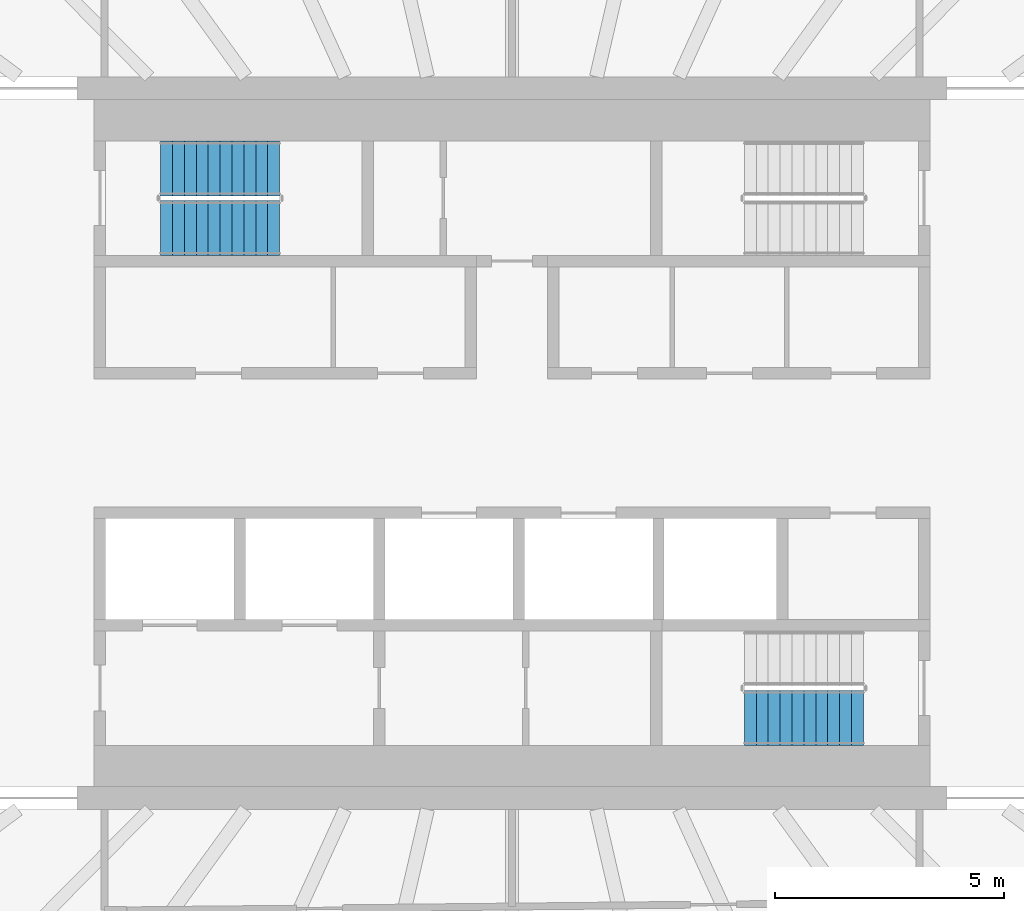
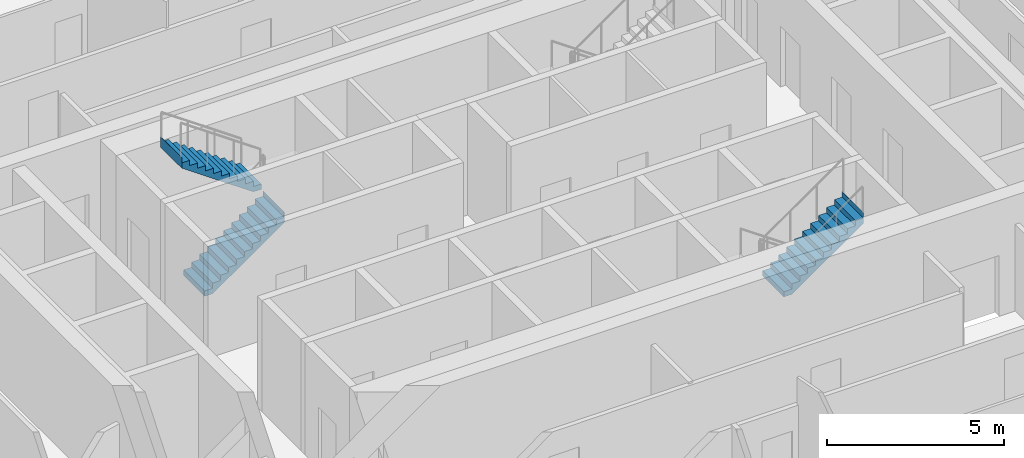
# One storey, part 16 of 23: 3 stair flights, 2 elements without a shape of their own.
"""IFC4 building model written with IfcOpenShell, lengths in metres."""

from ifc_helpers import new_model, si_unit, direction, frame, origin, place, context, subcontext, project, spatial, triangles, material, type_object, element, aggregate, save


model = new_model("IFC4")

# Units and contexts
model_context = context("Model", 3, precision=1e-05, world=origin(), true_north=direction((0.0, 1.0)))
body_context = subcontext(model_context, "Body", "Model", "MODEL_VIEW")
ifc_project = project(units=[si_unit("LENGTHUNIT", "METRE"), si_unit("AREAUNIT", "SQUARE_METRE"), si_unit("VOLUMEUNIT", "CUBIC_METRE"), si_unit("PLANEANGLEUNIT", "RADIAN"), si_unit("MASSUNIT", "GRAM", prefix="KILO")], contexts=[model_context])

# Site, building, storey
site_placement = place(None, origin())
site = spatial("IfcSite", under=ifc_project, at=site_placement, CompositionType="ELEMENT")
building_placement = place(site_placement, origin())
building = spatial("IfcBuilding", under=site, at=building_placement, Name="Sahrelin Media Tower", CompositionType="ELEMENT")
storey_placement = place(building_placement, frame((0.0, 0.0, 169.60009765625)))
storey = spatial("IfcBuildingStorey", under=building, at=storey_placement, Name="L35", CompositionType="ELEMENT", Elevation=169.60009765625)

# Stair, stair flights
ifc_material = material(Name="Concrete C40/50", Category="concrete")
stair_type = type_object("IfcStairType", Name="Exit stair 1200", PredefinedType="HALF_TURN_STAIR", material=ifc_material)
placement = place(storey_placement, origin())
stair_1 = element("IfcStair", 1, at=placement, inside=storey, type_object=stair_type, Name="L35 Exit stair ST1", PredefinedType="HALF_TURN_STAIR")
stair_flight_type = type_object("IfcStairFlightType", Name="Stair flight 1200", PredefinedType="STRAIGHT", material=ifc_material)
stair_flight_1_placement = place(storey_placement, frame((-7.675048828125, 4.699951171875, 0.0), z_axis=(0.0, 0.0, 1.0), x_axis=(1.0, 0.0, 0.0)))
stair_flight_1 = element("IfcStairFlight", 2, at=stair_flight_1_placement, type_object=stair_flight_type, Name="ST1 flight 1", NumberOfRisers=11, NumberOfTreads=10, PredefinedType="STRAIGHT", RiserHeight=0.181818182, TreadLength=0.26, context=body_context, shape_type="Tessellation", body=[
    triangles([(0.261474609375, 0.60009765625, 0.0), (0.261474609375, 0.300048828125, 0.0), (0.261474609375, 0.0, 0.0), (0.261474609375, -0.300048828125, 0.0), (0.261474609375, -0.60009765625, 0.0), (2.60009765625, 0.60009765625, 1.63525390625), (2.60009765625, 0.300048828125, 1.63525390625), (2.60009765625, 0.0, 1.63525390625), (2.60009765625, -0.300048828125, 1.63525390625), (2.60009765625, -0.60009765625, 1.63525390625), (2.60009765625, 0.60009765625, 2.0), (2.60009765625, 0.300048828125, 2.0), (2.60009765625, 0.0, 2.0), (2.60009765625, -0.300048828125, 2.0), (2.60009765625, -0.60009765625, 2.0), (2.597900390625, 0.60009765625, 2.0), (2.597900390625, 0.300048828125, 2.0), (2.597900390625, 0.0, 2.0), (2.597900390625, -0.300048828125, 2.0), (2.597900390625, -0.60009765625, 2.0), (2.597900390625, 0.60009765625, 1.818115234375), (2.597900390625, 0.300048828125, 1.818115234375), (2.597900390625, 0.0, 1.818115234375), (2.597900390625, -0.300048828125, 1.818115234375), (2.597900390625, -0.60009765625, 1.818115234375), (2.340087890625, 0.60009765625, 1.818115234375), (2.340087890625, 0.300048828125, 1.818115234375), (2.340087890625, 0.0, 1.818115234375), (2.340087890625, -0.300048828125, 1.818115234375), (2.340087890625, -0.60009765625, 1.818115234375), (2.340087890625, 0.60009765625, 1.636474609375), (2.340087890625, 0.300048828125, 1.636474609375), (2.340087890625, 0.0, 1.636474609375), (2.340087890625, -0.300048828125, 1.636474609375), (2.340087890625, -0.60009765625, 1.636474609375), (2.080078125, 0.60009765625, 1.636474609375), (2.080078125, 0.300048828125, 1.636474609375), (2.080078125, 0.0, 1.636474609375), (2.080078125, -0.300048828125, 1.636474609375), (2.080078125, -0.60009765625, 1.636474609375), (2.080078125, 0.60009765625, 1.45458984375), (2.080078125, 0.300048828125, 1.45458984375), (2.080078125, 0.0, 1.45458984375), (2.080078125, -0.300048828125, 1.45458984375), (2.080078125, -0.60009765625, 1.45458984375), (1.820068359375, 0.60009765625, 1.45458984375), (1.820068359375, 0.300048828125, 1.45458984375), (1.820068359375, 0.0, 1.45458984375), (1.820068359375, -0.300048828125, 1.45458984375), (1.820068359375, -0.60009765625, 1.45458984375), (1.820068359375, 0.60009765625, 1.272705078125), (1.820068359375, 0.300048828125, 1.272705078125), (1.820068359375, 0.0, 1.272705078125), (1.820068359375, -0.300048828125, 1.272705078125), (1.820068359375, -0.60009765625, 1.272705078125), (1.56005859375, 0.60009765625, 1.272705078125), (1.56005859375, 0.300048828125, 1.272705078125), (1.56005859375, 0.0, 1.272705078125), (1.56005859375, -0.300048828125, 1.272705078125), (1.56005859375, -0.60009765625, 1.272705078125), (1.56005859375, 0.60009765625, 1.0908203125), (1.56005859375, 0.300048828125, 1.0908203125), (1.56005859375, 0.0, 1.0908203125), (1.56005859375, -0.300048828125, 1.0908203125), (1.56005859375, -0.60009765625, 1.0908203125), (1.300048828125, 0.60009765625, 1.0908203125), (1.300048828125, 0.300048828125, 1.0908203125), (1.300048828125, 0.0, 1.0908203125), (1.300048828125, -0.300048828125, 1.0908203125), (1.300048828125, -0.60009765625, 1.0908203125), (1.300048828125, 0.60009765625, 0.9091796875), (1.300048828125, 0.300048828125, 0.9091796875), (1.300048828125, 0.0, 0.9091796875), (1.300048828125, -0.300048828125, 0.9091796875), (1.300048828125, -0.60009765625, 0.9091796875), (1.0400390625, 0.60009765625, 0.9091796875), (1.0400390625, 0.300048828125, 0.9091796875), (1.0400390625, 0.0, 0.9091796875), (1.0400390625, -0.300048828125, 0.9091796875), (1.0400390625, -0.60009765625, 0.9091796875), (1.0400390625, 0.60009765625, 0.727294921875), (1.0400390625, 0.300048828125, 0.727294921875), (1.0400390625, 0.0, 0.727294921875), (1.0400390625, -0.300048828125, 0.727294921875), (1.0400390625, -0.60009765625, 0.727294921875), (0.780029296875, 0.60009765625, 0.727294921875), (0.780029296875, 0.300048828125, 0.727294921875), (0.780029296875, 0.0, 0.727294921875), (0.780029296875, -0.300048828125, 0.727294921875), (0.780029296875, -0.60009765625, 0.727294921875), (0.780029296875, 0.60009765625, 0.54541015625), (0.780029296875, 0.300048828125, 0.54541015625), (0.780029296875, 0.0, 0.54541015625), (0.780029296875, -0.300048828125, 0.54541015625), (0.780029296875, -0.60009765625, 0.54541015625), (0.52001953125, 0.60009765625, 0.54541015625), (0.52001953125, 0.300048828125, 0.54541015625), (0.52001953125, 0.0, 0.54541015625), (0.52001953125, -0.300048828125, 0.54541015625), (0.52001953125, -0.60009765625, 0.54541015625), (0.52001953125, 0.60009765625, 0.363525390625), (0.52001953125, 0.300048828125, 0.363525390625), (0.52001953125, 0.0, 0.363525390625), (0.52001953125, -0.300048828125, 0.363525390625), (0.52001953125, -0.60009765625, 0.363525390625), (0.260009765625, 0.60009765625, 0.363525390625), (0.260009765625, 0.300048828125, 0.363525390625), (0.260009765625, 0.0, 0.363525390625), (0.260009765625, -0.300048828125, 0.363525390625), (0.260009765625, -0.60009765625, 0.363525390625), (0.260009765625, 0.60009765625, 0.181884765625), (0.260009765625, 0.300048828125, 0.181884765625), (0.260009765625, 0.0, 0.181884765625), (0.260009765625, -0.300048828125, 0.181884765625), (0.260009765625, -0.60009765625, 0.181884765625), (0.0, 0.60009765625, 0.181884765625), (0.0, 0.300048828125, 0.181884765625), (0.0, 0.0, 0.181884765625), (0.0, -0.300048828125, 0.181884765625), (0.0, -0.60009765625, 0.181884765625), (0.0, 0.60009765625, 0.0), (0.0, 0.300048828125, 0.0), (0.0, 0.0, 0.0), (0.0, -0.300048828125, 0.0), (0.0, -0.60009765625, 0.0)], [[1, 6, 7], [1, 7, 2], [2, 7, 8], [2, 8, 3], [3, 8, 9], [3, 9, 4], [4, 9, 10], [4, 10, 5], [6, 11, 12], [6, 12, 7], [7, 12, 13], [7, 13, 8], [8, 13, 14], [8, 14, 9], [9, 14, 15], [9, 15, 10], [11, 16, 17], [11, 17, 12], [12, 17, 18], [12, 18, 13], [13, 18, 19], [13, 19, 14], [14, 19, 20], [14, 20, 15], [16, 21, 22], [16, 22, 17], [17, 22, 23], [17, 23, 18], [18, 23, 24], [18, 24, 19], [19, 24, 25], [19, 25, 20], [21, 26, 27], [21, 27, 22], [22, 27, 28], [22, 28, 23], [23, 28, 29], [23, 29, 24], [24, 29, 30], [24, 30, 25], [26, 31, 32], [26, 32, 27], [27, 32, 33], [27, 33, 28], [28, 33, 34], [28, 34, 29], [29, 34, 35], [29, 35, 30], [31, 36, 37], [31, 37, 32], [32, 37, 38], [32, 38, 33], [33, 38, 39], [33, 39, 34], [34, 39, 40], [34, 40, 35], [36, 41, 42], [36, 42, 37], [37, 42, 43], [37, 43, 38], [38, 43, 44], [38, 44, 39], [39, 44, 45], [39, 45, 40], [41, 46, 47], [41, 47, 42], [42, 47, 48], [42, 48, 43], [43, 48, 49], [43, 49, 44], [44, 49, 50], [44, 50, 45], [46, 51, 52], [46, 52, 47], [47, 52, 53], [47, 53, 48], [48, 53, 54], [48, 54, 49], [49, 54, 55], [49, 55, 50], [51, 56, 57], [51, 57, 52], [52, 57, 58], [52, 58, 53], [53, 58, 59], [53, 59, 54], [54, 59, 60], [54, 60, 55], [56, 61, 62], [56, 62, 57], [57, 62, 63], [57, 63, 58], [58, 63, 64], [58, 64, 59], [59, 64, 65], [59, 65, 60], [61, 66, 67], [61, 67, 62], [62, 67, 68], [62, 68, 63], [63, 68, 69], [63, 69, 64], [64, 69, 70], [64, 70, 65], [66, 71, 72], [66, 72, 67], [67, 72, 73], [67, 73, 68], [68, 73, 74], [68, 74, 69], [69, 74, 75], [69, 75, 70], [71, 76, 77], [71, 77, 72], [72, 77, 78], [72, 78, 73], [73, 78, 79], [73, 79, 74], [74, 79, 80], [74, 80, 75], [76, 81, 82], [76, 82, 77], [77, 82, 83], [77, 83, 78], [78, 83, 84], [78, 84, 79], [79, 84, 85], [79, 85, 80], [81, 86, 87], [81, 87, 82], [82, 87, 88], [82, 88, 83], [83, 88, 89], [83, 89, 84], [84, 89, 90], [84, 90, 85], [86, 91, 92], [86, 92, 87], [87, 92, 93], [87, 93, 88], [88, 93, 94], [88, 94, 89], [89, 94, 95], [89, 95, 90], [91, 96, 97], [91, 97, 92], [92, 97, 98], [92, 98, 93], [93, 98, 99], [93, 99, 94], [94, 99, 100], [94, 100, 95], [96, 101, 102], [96, 102, 97], [97, 102, 103], [97, 103, 98], [98, 103, 104], [98, 104, 99], [99, 104, 105], [99, 105, 100], [101, 106, 107], [101, 107, 102], [102, 107, 108], [102, 108, 103], [103, 108, 109], [103, 109, 104], [104, 109, 110], [104, 110, 105], [106, 111, 112], [106, 112, 107], [107, 112, 113], [107, 113, 108], [108, 113, 114], [108, 114, 109], [109, 114, 115], [109, 115, 110], [111, 116, 117], [111, 117, 112], [112, 117, 118], [112, 118, 113], [113, 118, 119], [113, 119, 114], [114, 119, 120], [114, 120, 115], [116, 121, 122], [116, 122, 117], [117, 122, 123], [117, 123, 118], [118, 123, 124], [118, 124, 119], [119, 124, 125], [119, 125, 120], [121, 1, 2], [121, 2, 122], [122, 2, 3], [122, 3, 123], [123, 3, 4], [123, 4, 124], [124, 4, 5], [124, 5, 125], [115, 120, 125], [111, 121, 116], [115, 105, 110], [111, 106, 101], [105, 95, 100], [101, 96, 91], [95, 85, 90], [91, 86, 81], [85, 75, 80], [81, 76, 71], [75, 65, 70], [71, 66, 61], [65, 55, 60], [61, 56, 51], [55, 45, 50], [51, 46, 41], [45, 35, 40], [41, 36, 31], [35, 25, 30], [31, 26, 21], [25, 15, 20], [21, 16, 11], [125, 5, 115], [121, 111, 1], [25, 10, 15], [21, 11, 6], [105, 115, 5], [101, 1, 111], [35, 10, 25], [31, 21, 6], [95, 105, 5], [91, 1, 101], [45, 10, 35], [41, 31, 6], [85, 95, 5], [81, 1, 91], [55, 10, 45], [51, 41, 6], [75, 85, 5], [71, 1, 81], [65, 10, 55], [61, 51, 6], [5, 10, 75], [1, 71, 6], [75, 10, 65], [71, 61, 6]], closed=True),
])
stair_flight_2_placement = place(storey_placement, frame((-5.074951171875, 6.0, 2.0), z_axis=(0.0, 0.0, 1.0), x_axis=(-1.0, 0.0, 0.0)))
stair_flight_2 = element("IfcStairFlight", 3, at=stair_flight_2_placement, type_object=stair_flight_type, Name="ST1 flight 2", NumberOfRisers=11, NumberOfTreads=10, PredefinedType="STRAIGHT", RiserHeight=0.181818182, TreadLength=0.26, context=body_context, shape_type="Tessellation", body=[
    triangles([(0.261474609375, 0.60009765625, 0.0), (0.261474609375, 0.300048828125, 0.0), (0.261474609375, 0.0, 0.0), (0.261474609375, -0.300048828125, 0.0), (0.261474609375, -0.60009765625, 0.0), (2.60009765625, 0.60009765625, 1.63525390625), (2.60009765625, 0.300048828125, 1.63525390625), (2.60009765625, 0.0, 1.63525390625), (2.60009765625, -0.300048828125, 1.63525390625), (2.60009765625, -0.60009765625, 1.63525390625), (2.60009765625, 0.60009765625, 2.0), (2.60009765625, 0.300048828125, 2.0), (2.60009765625, 0.0, 2.0), (2.60009765625, -0.300048828125, 2.0), (2.60009765625, -0.60009765625, 2.0), (2.597900390625, 0.60009765625, 2.0), (2.597900390625, 0.300048828125, 2.0), (2.597900390625, 0.0, 2.0), (2.597900390625, -0.300048828125, 2.0), (2.597900390625, -0.60009765625, 2.0), (2.597900390625, 0.60009765625, 1.818115234375), (2.597900390625, 0.300048828125, 1.818115234375), (2.597900390625, 0.0, 1.818115234375), (2.597900390625, -0.300048828125, 1.818115234375), (2.597900390625, -0.60009765625, 1.818115234375), (2.340087890625, 0.60009765625, 1.818115234375), (2.340087890625, 0.300048828125, 1.818115234375), (2.340087890625, 0.0, 1.818115234375), (2.340087890625, -0.300048828125, 1.818115234375), (2.340087890625, -0.60009765625, 1.818115234375), (2.340087890625, 0.60009765625, 1.636474609375), (2.340087890625, 0.300048828125, 1.636474609375), (2.340087890625, 0.0, 1.636474609375), (2.340087890625, -0.300048828125, 1.636474609375), (2.340087890625, -0.60009765625, 1.636474609375), (2.080078125, 0.60009765625, 1.636474609375), (2.080078125, 0.300048828125, 1.636474609375), (2.080078125, 0.0, 1.636474609375), (2.080078125, -0.300048828125, 1.636474609375), (2.080078125, -0.60009765625, 1.636474609375), (2.080078125, 0.60009765625, 1.45458984375), (2.080078125, 0.300048828125, 1.45458984375), (2.080078125, 0.0, 1.45458984375), (2.080078125, -0.300048828125, 1.45458984375), (2.080078125, -0.60009765625, 1.45458984375), (1.820068359375, 0.60009765625, 1.45458984375), (1.820068359375, 0.300048828125, 1.45458984375), (1.820068359375, 0.0, 1.45458984375), (1.820068359375, -0.300048828125, 1.45458984375), (1.820068359375, -0.60009765625, 1.45458984375), (1.820068359375, 0.60009765625, 1.272705078125), (1.820068359375, 0.300048828125, 1.272705078125), (1.820068359375, 0.0, 1.272705078125), (1.820068359375, -0.300048828125, 1.272705078125), (1.820068359375, -0.60009765625, 1.272705078125), (1.56005859375, 0.60009765625, 1.272705078125), (1.56005859375, 0.300048828125, 1.272705078125), (1.56005859375, 0.0, 1.272705078125), (1.56005859375, -0.300048828125, 1.272705078125), (1.56005859375, -0.60009765625, 1.272705078125), (1.56005859375, 0.60009765625, 1.0908203125), (1.56005859375, 0.300048828125, 1.0908203125), (1.56005859375, 0.0, 1.0908203125), (1.56005859375, -0.300048828125, 1.0908203125), (1.56005859375, -0.60009765625, 1.0908203125), (1.300048828125, 0.60009765625, 1.0908203125), (1.300048828125, 0.300048828125, 1.0908203125), (1.300048828125, 0.0, 1.0908203125), (1.300048828125, -0.300048828125, 1.0908203125), (1.300048828125, -0.60009765625, 1.0908203125), (1.300048828125, 0.60009765625, 0.9091796875), (1.300048828125, 0.300048828125, 0.9091796875), (1.300048828125, 0.0, 0.9091796875), (1.300048828125, -0.300048828125, 0.9091796875), (1.300048828125, -0.60009765625, 0.9091796875), (1.0400390625, 0.60009765625, 0.9091796875), (1.0400390625, 0.300048828125, 0.9091796875), (1.0400390625, 0.0, 0.9091796875), (1.0400390625, -0.300048828125, 0.9091796875), (1.0400390625, -0.60009765625, 0.9091796875), (1.0400390625, 0.60009765625, 0.727294921875), (1.0400390625, 0.300048828125, 0.727294921875), (1.0400390625, 0.0, 0.727294921875), (1.0400390625, -0.300048828125, 0.727294921875), (1.0400390625, -0.60009765625, 0.727294921875), (0.780029296875, 0.60009765625, 0.727294921875), (0.780029296875, 0.300048828125, 0.727294921875), (0.780029296875, 0.0, 0.727294921875), (0.780029296875, -0.300048828125, 0.727294921875), (0.780029296875, -0.60009765625, 0.727294921875), (0.780029296875, 0.60009765625, 0.54541015625), (0.780029296875, 0.300048828125, 0.54541015625), (0.780029296875, 0.0, 0.54541015625), (0.780029296875, -0.300048828125, 0.54541015625), (0.780029296875, -0.60009765625, 0.54541015625), (0.52001953125, 0.60009765625, 0.54541015625), (0.52001953125, 0.300048828125, 0.54541015625), (0.52001953125, 0.0, 0.54541015625), (0.52001953125, -0.300048828125, 0.54541015625), (0.52001953125, -0.60009765625, 0.54541015625), (0.52001953125, 0.60009765625, 0.363525390625), (0.52001953125, 0.300048828125, 0.363525390625), (0.52001953125, 0.0, 0.363525390625), (0.52001953125, -0.300048828125, 0.363525390625), (0.52001953125, -0.60009765625, 0.363525390625), (0.260009765625, 0.60009765625, 0.363525390625), (0.260009765625, 0.300048828125, 0.363525390625), (0.260009765625, 0.0, 0.363525390625), (0.260009765625, -0.300048828125, 0.363525390625), (0.260009765625, -0.60009765625, 0.363525390625), (0.260009765625, 0.60009765625, 0.181884765625), (0.260009765625, 0.300048828125, 0.181884765625), (0.260009765625, 0.0, 0.181884765625), (0.260009765625, -0.300048828125, 0.181884765625), (0.260009765625, -0.60009765625, 0.181884765625), (0.0, 0.60009765625, 0.181884765625), (0.0, 0.300048828125, 0.181884765625), (0.0, 0.0, 0.181884765625), (0.0, -0.300048828125, 0.181884765625), (0.0, -0.60009765625, 0.181884765625), (0.0, 0.60009765625, 0.0), (0.0, 0.300048828125, 0.0), (0.0, 0.0, 0.0), (0.0, -0.300048828125, 0.0), (0.0, -0.60009765625, 0.0)], [[1, 6, 7], [1, 7, 2], [2, 7, 8], [2, 8, 3], [3, 8, 9], [3, 9, 4], [4, 9, 10], [4, 10, 5], [6, 11, 12], [6, 12, 7], [7, 12, 13], [7, 13, 8], [8, 13, 14], [8, 14, 9], [9, 14, 15], [9, 15, 10], [11, 16, 17], [11, 17, 12], [12, 17, 18], [12, 18, 13], [13, 18, 19], [13, 19, 14], [14, 19, 20], [14, 20, 15], [16, 21, 22], [16, 22, 17], [17, 22, 23], [17, 23, 18], [18, 23, 24], [18, 24, 19], [19, 24, 25], [19, 25, 20], [21, 26, 27], [21, 27, 22], [22, 27, 28], [22, 28, 23], [23, 28, 29], [23, 29, 24], [24, 29, 30], [24, 30, 25], [26, 31, 32], [26, 32, 27], [27, 32, 33], [27, 33, 28], [28, 33, 34], [28, 34, 29], [29, 34, 35], [29, 35, 30], [31, 36, 37], [31, 37, 32], [32, 37, 38], [32, 38, 33], [33, 38, 39], [33, 39, 34], [34, 39, 40], [34, 40, 35], [36, 41, 42], [36, 42, 37], [37, 42, 43], [37, 43, 38], [38, 43, 44], [38, 44, 39], [39, 44, 45], [39, 45, 40], [41, 46, 47], [41, 47, 42], [42, 47, 48], [42, 48, 43], [43, 48, 49], [43, 49, 44], [44, 49, 50], [44, 50, 45], [46, 51, 52], [46, 52, 47], [47, 52, 53], [47, 53, 48], [48, 53, 54], [48, 54, 49], [49, 54, 55], [49, 55, 50], [51, 56, 57], [51, 57, 52], [52, 57, 58], [52, 58, 53], [53, 58, 59], [53, 59, 54], [54, 59, 60], [54, 60, 55], [56, 61, 62], [56, 62, 57], [57, 62, 63], [57, 63, 58], [58, 63, 64], [58, 64, 59], [59, 64, 65], [59, 65, 60], [61, 66, 67], [61, 67, 62], [62, 67, 68], [62, 68, 63], [63, 68, 69], [63, 69, 64], [64, 69, 70], [64, 70, 65], [66, 71, 72], [66, 72, 67], [67, 72, 73], [67, 73, 68], [68, 73, 74], [68, 74, 69], [69, 74, 75], [69, 75, 70], [71, 76, 77], [71, 77, 72], [72, 77, 78], [72, 78, 73], [73, 78, 79], [73, 79, 74], [74, 79, 80], [74, 80, 75], [76, 81, 82], [76, 82, 77], [77, 82, 83], [77, 83, 78], [78, 83, 84], [78, 84, 79], [79, 84, 85], [79, 85, 80], [81, 86, 87], [81, 87, 82], [82, 87, 88], [82, 88, 83], [83, 88, 89], [83, 89, 84], [84, 89, 90], [84, 90, 85], [86, 91, 92], [86, 92, 87], [87, 92, 93], [87, 93, 88], [88, 93, 94], [88, 94, 89], [89, 94, 95], [89, 95, 90], [91, 96, 97], [91, 97, 92], [92, 97, 98], [92, 98, 93], [93, 98, 99], [93, 99, 94], [94, 99, 100], [94, 100, 95], [96, 101, 102], [96, 102, 97], [97, 102, 103], [97, 103, 98], [98, 103, 104], [98, 104, 99], [99, 104, 105], [99, 105, 100], [101, 106, 107], [101, 107, 102], [102, 107, 108], [102, 108, 103], [103, 108, 109], [103, 109, 104], [104, 109, 110], [104, 110, 105], [106, 111, 112], [106, 112, 107], [107, 112, 113], [107, 113, 108], [108, 113, 114], [108, 114, 109], [109, 114, 115], [109, 115, 110], [111, 116, 117], [111, 117, 112], [112, 117, 118], [112, 118, 113], [113, 118, 119], [113, 119, 114], [114, 119, 120], [114, 120, 115], [116, 121, 122], [116, 122, 117], [117, 122, 123], [117, 123, 118], [118, 123, 124], [118, 124, 119], [119, 124, 125], [119, 125, 120], [121, 1, 2], [121, 2, 122], [122, 2, 3], [122, 3, 123], [123, 3, 4], [123, 4, 124], [124, 4, 5], [124, 5, 125], [115, 120, 125], [111, 121, 116], [115, 105, 110], [111, 106, 101], [105, 95, 100], [101, 96, 91], [95, 85, 90], [91, 86, 81], [85, 75, 80], [81, 76, 71], [75, 65, 70], [71, 66, 61], [65, 55, 60], [61, 56, 51], [55, 45, 50], [51, 46, 41], [45, 35, 40], [41, 36, 31], [35, 25, 30], [31, 26, 21], [25, 15, 20], [21, 16, 11], [125, 5, 115], [121, 111, 1], [25, 10, 15], [21, 11, 6], [105, 115, 5], [101, 1, 111], [35, 10, 25], [31, 21, 6], [95, 105, 5], [91, 1, 101], [45, 10, 35], [41, 31, 6], [85, 95, 5], [81, 1, 91], [55, 10, 45], [51, 41, 6], [75, 85, 5], [71, 1, 81], [65, 10, 55], [61, 51, 6], [5, 10, 75], [1, 71, 6], [75, 10, 65], [71, 61, 6]], closed=True),
])
aggregate(stair_1, [stair_flight_1, stair_flight_2])

# Stair, stair flight
stair_2 = element("IfcStair", 4, at=placement, inside=storey, type_object=stair_type, Name="L35 Exit stair ST2", PredefinedType="HALF_TURN_STAIR")
stair_flight_3_placement = place(storey_placement, frame((5.074951171875, -6.0, 2.0), z_axis=(0.0, 0.0, 1.0), x_axis=(1.0, 0.0, 0.0)))
stair_flight_3 = element("IfcStairFlight", 5, at=stair_flight_3_placement, type_object=stair_flight_type, Name="ST2 flight 2", NumberOfRisers=11, NumberOfTreads=10, PredefinedType="STRAIGHT", RiserHeight=0.181818182, TreadLength=0.26, context=body_context, shape_type="Tessellation", body=[
    triangles([(0.261474609375, 0.60009765625, 0.0), (0.261474609375, 0.300048828125, 0.0), (0.261474609375, 0.0, 0.0), (0.261474609375, -0.300048828125, 0.0), (0.261474609375, -0.60009765625, 0.0), (2.60009765625, 0.60009765625, 1.63525390625), (2.60009765625, 0.300048828125, 1.63525390625), (2.60009765625, 0.0, 1.63525390625), (2.60009765625, -0.300048828125, 1.63525390625), (2.60009765625, -0.60009765625, 1.63525390625), (2.60009765625, 0.60009765625, 2.0), (2.60009765625, 0.300048828125, 2.0), (2.60009765625, 0.0, 2.0), (2.60009765625, -0.300048828125, 2.0), (2.60009765625, -0.60009765625, 2.0), (2.597900390625, 0.60009765625, 2.0), (2.597900390625, 0.300048828125, 2.0), (2.597900390625, 0.0, 2.0), (2.597900390625, -0.300048828125, 2.0), (2.597900390625, -0.60009765625, 2.0), (2.597900390625, 0.60009765625, 1.818115234375), (2.597900390625, 0.300048828125, 1.818115234375), (2.597900390625, 0.0, 1.818115234375), (2.597900390625, -0.300048828125, 1.818115234375), (2.597900390625, -0.60009765625, 1.818115234375), (2.340087890625, 0.60009765625, 1.818115234375), (2.340087890625, 0.300048828125, 1.818115234375), (2.340087890625, 0.0, 1.818115234375), (2.340087890625, -0.300048828125, 1.818115234375), (2.340087890625, -0.60009765625, 1.818115234375), (2.340087890625, 0.60009765625, 1.636474609375), (2.340087890625, 0.300048828125, 1.636474609375), (2.340087890625, 0.0, 1.636474609375), (2.340087890625, -0.300048828125, 1.636474609375), (2.340087890625, -0.60009765625, 1.636474609375), (2.080078125, 0.60009765625, 1.636474609375), (2.080078125, 0.300048828125, 1.636474609375), (2.080078125, 0.0, 1.636474609375), (2.080078125, -0.300048828125, 1.636474609375), (2.080078125, -0.60009765625, 1.636474609375), (2.080078125, 0.60009765625, 1.45458984375), (2.080078125, 0.300048828125, 1.45458984375), (2.080078125, 0.0, 1.45458984375), (2.080078125, -0.300048828125, 1.45458984375), (2.080078125, -0.60009765625, 1.45458984375), (1.820068359375, 0.60009765625, 1.45458984375), (1.820068359375, 0.300048828125, 1.45458984375), (1.820068359375, 0.0, 1.45458984375), (1.820068359375, -0.300048828125, 1.45458984375), (1.820068359375, -0.60009765625, 1.45458984375), (1.820068359375, 0.60009765625, 1.272705078125), (1.820068359375, 0.300048828125, 1.272705078125), (1.820068359375, 0.0, 1.272705078125), (1.820068359375, -0.300048828125, 1.272705078125), (1.820068359375, -0.60009765625, 1.272705078125), (1.56005859375, 0.60009765625, 1.272705078125), (1.56005859375, 0.300048828125, 1.272705078125), (1.56005859375, 0.0, 1.272705078125), (1.56005859375, -0.300048828125, 1.272705078125), (1.56005859375, -0.60009765625, 1.272705078125), (1.56005859375, 0.60009765625, 1.0908203125), (1.56005859375, 0.300048828125, 1.0908203125), (1.56005859375, 0.0, 1.0908203125), (1.56005859375, -0.300048828125, 1.0908203125), (1.56005859375, -0.60009765625, 1.0908203125), (1.300048828125, 0.60009765625, 1.0908203125), (1.300048828125, 0.300048828125, 1.0908203125), (1.300048828125, 0.0, 1.0908203125), (1.300048828125, -0.300048828125, 1.0908203125), (1.300048828125, -0.60009765625, 1.0908203125), (1.300048828125, 0.60009765625, 0.9091796875), (1.300048828125, 0.300048828125, 0.9091796875), (1.300048828125, 0.0, 0.9091796875), (1.300048828125, -0.300048828125, 0.9091796875), (1.300048828125, -0.60009765625, 0.9091796875), (1.0400390625, 0.60009765625, 0.9091796875), (1.0400390625, 0.300048828125, 0.9091796875), (1.0400390625, 0.0, 0.9091796875), (1.0400390625, -0.300048828125, 0.9091796875), (1.0400390625, -0.60009765625, 0.9091796875), (1.0400390625, 0.60009765625, 0.727294921875), (1.0400390625, 0.300048828125, 0.727294921875), (1.0400390625, 0.0, 0.727294921875), (1.0400390625, -0.300048828125, 0.727294921875), (1.0400390625, -0.60009765625, 0.727294921875), (0.780029296875, 0.60009765625, 0.727294921875), (0.780029296875, 0.300048828125, 0.727294921875), (0.780029296875, 0.0, 0.727294921875), (0.780029296875, -0.300048828125, 0.727294921875), (0.780029296875, -0.60009765625, 0.727294921875), (0.780029296875, 0.60009765625, 0.54541015625), (0.780029296875, 0.300048828125, 0.54541015625), (0.780029296875, 0.0, 0.54541015625), (0.780029296875, -0.300048828125, 0.54541015625), (0.780029296875, -0.60009765625, 0.54541015625), (0.52001953125, 0.60009765625, 0.54541015625), (0.52001953125, 0.300048828125, 0.54541015625), (0.52001953125, 0.0, 0.54541015625), (0.52001953125, -0.300048828125, 0.54541015625), (0.52001953125, -0.60009765625, 0.54541015625), (0.52001953125, 0.60009765625, 0.363525390625), (0.52001953125, 0.300048828125, 0.363525390625), (0.52001953125, 0.0, 0.363525390625), (0.52001953125, -0.300048828125, 0.363525390625), (0.52001953125, -0.60009765625, 0.363525390625), (0.260009765625, 0.60009765625, 0.363525390625), (0.260009765625, 0.300048828125, 0.363525390625), (0.260009765625, 0.0, 0.363525390625), (0.260009765625, -0.300048828125, 0.363525390625), (0.260009765625, -0.60009765625, 0.363525390625), (0.260009765625, 0.60009765625, 0.181884765625), (0.260009765625, 0.300048828125, 0.181884765625), (0.260009765625, 0.0, 0.181884765625), (0.260009765625, -0.300048828125, 0.181884765625), (0.260009765625, -0.60009765625, 0.181884765625), (0.0, 0.60009765625, 0.181884765625), (0.0, 0.300048828125, 0.181884765625), (0.0, 0.0, 0.181884765625), (0.0, -0.300048828125, 0.181884765625), (0.0, -0.60009765625, 0.181884765625), (0.0, 0.60009765625, 0.0), (0.0, 0.300048828125, 0.0), (0.0, 0.0, 0.0), (0.0, -0.300048828125, 0.0), (0.0, -0.60009765625, 0.0)], [[1, 6, 7], [1, 7, 2], [2, 7, 8], [2, 8, 3], [3, 8, 9], [3, 9, 4], [4, 9, 10], [4, 10, 5], [6, 11, 12], [6, 12, 7], [7, 12, 13], [7, 13, 8], [8, 13, 14], [8, 14, 9], [9, 14, 15], [9, 15, 10], [11, 16, 17], [11, 17, 12], [12, 17, 18], [12, 18, 13], [13, 18, 19], [13, 19, 14], [14, 19, 20], [14, 20, 15], [16, 21, 22], [16, 22, 17], [17, 22, 23], [17, 23, 18], [18, 23, 24], [18, 24, 19], [19, 24, 25], [19, 25, 20], [21, 26, 27], [21, 27, 22], [22, 27, 28], [22, 28, 23], [23, 28, 29], [23, 29, 24], [24, 29, 30], [24, 30, 25], [26, 31, 32], [26, 32, 27], [27, 32, 33], [27, 33, 28], [28, 33, 34], [28, 34, 29], [29, 34, 35], [29, 35, 30], [31, 36, 37], [31, 37, 32], [32, 37, 38], [32, 38, 33], [33, 38, 39], [33, 39, 34], [34, 39, 40], [34, 40, 35], [36, 41, 42], [36, 42, 37], [37, 42, 43], [37, 43, 38], [38, 43, 44], [38, 44, 39], [39, 44, 45], [39, 45, 40], [41, 46, 47], [41, 47, 42], [42, 47, 48], [42, 48, 43], [43, 48, 49], [43, 49, 44], [44, 49, 50], [44, 50, 45], [46, 51, 52], [46, 52, 47], [47, 52, 53], [47, 53, 48], [48, 53, 54], [48, 54, 49], [49, 54, 55], [49, 55, 50], [51, 56, 57], [51, 57, 52], [52, 57, 58], [52, 58, 53], [53, 58, 59], [53, 59, 54], [54, 59, 60], [54, 60, 55], [56, 61, 62], [56, 62, 57], [57, 62, 63], [57, 63, 58], [58, 63, 64], [58, 64, 59], [59, 64, 65], [59, 65, 60], [61, 66, 67], [61, 67, 62], [62, 67, 68], [62, 68, 63], [63, 68, 69], [63, 69, 64], [64, 69, 70], [64, 70, 65], [66, 71, 72], [66, 72, 67], [67, 72, 73], [67, 73, 68], [68, 73, 74], [68, 74, 69], [69, 74, 75], [69, 75, 70], [71, 76, 77], [71, 77, 72], [72, 77, 78], [72, 78, 73], [73, 78, 79], [73, 79, 74], [74, 79, 80], [74, 80, 75], [76, 81, 82], [76, 82, 77], [77, 82, 83], [77, 83, 78], [78, 83, 84], [78, 84, 79], [79, 84, 85], [79, 85, 80], [81, 86, 87], [81, 87, 82], [82, 87, 88], [82, 88, 83], [83, 88, 89], [83, 89, 84], [84, 89, 90], [84, 90, 85], [86, 91, 92], [86, 92, 87], [87, 92, 93], [87, 93, 88], [88, 93, 94], [88, 94, 89], [89, 94, 95], [89, 95, 90], [91, 96, 97], [91, 97, 92], [92, 97, 98], [92, 98, 93], [93, 98, 99], [93, 99, 94], [94, 99, 100], [94, 100, 95], [96, 101, 102], [96, 102, 97], [97, 102, 103], [97, 103, 98], [98, 103, 104], [98, 104, 99], [99, 104, 105], [99, 105, 100], [101, 106, 107], [101, 107, 102], [102, 107, 108], [102, 108, 103], [103, 108, 109], [103, 109, 104], [104, 109, 110], [104, 110, 105], [106, 111, 112], [106, 112, 107], [107, 112, 113], [107, 113, 108], [108, 113, 114], [108, 114, 109], [109, 114, 115], [109, 115, 110], [111, 116, 117], [111, 117, 112], [112, 117, 118], [112, 118, 113], [113, 118, 119], [113, 119, 114], [114, 119, 120], [114, 120, 115], [116, 121, 122], [116, 122, 117], [117, 122, 123], [117, 123, 118], [118, 123, 124], [118, 124, 119], [119, 124, 125], [119, 125, 120], [121, 1, 2], [121, 2, 122], [122, 2, 3], [122, 3, 123], [123, 3, 4], [123, 4, 124], [124, 4, 5], [124, 5, 125], [115, 120, 125], [111, 121, 116], [115, 105, 110], [111, 106, 101], [105, 95, 100], [101, 96, 91], [95, 85, 90], [91, 86, 81], [85, 75, 80], [81, 76, 71], [75, 65, 70], [71, 66, 61], [65, 55, 60], [61, 56, 51], [55, 45, 50], [51, 46, 41], [45, 35, 40], [41, 36, 31], [35, 25, 30], [31, 26, 21], [25, 15, 20], [21, 16, 11], [125, 5, 115], [121, 111, 1], [25, 10, 15], [21, 11, 6], [105, 115, 5], [101, 1, 111], [35, 10, 25], [31, 21, 6], [95, 105, 5], [91, 1, 101], [45, 10, 35], [41, 31, 6], [85, 95, 5], [81, 1, 91], [55, 10, 45], [51, 41, 6], [75, 85, 5], [71, 1, 81], [65, 10, 55], [61, 51, 6], [5, 10, 75], [1, 71, 6], [75, 10, 65], [71, 61, 6]], closed=True),
])
aggregate(stair_2, [stair_flight_3])

save(model, "model.ifc")
